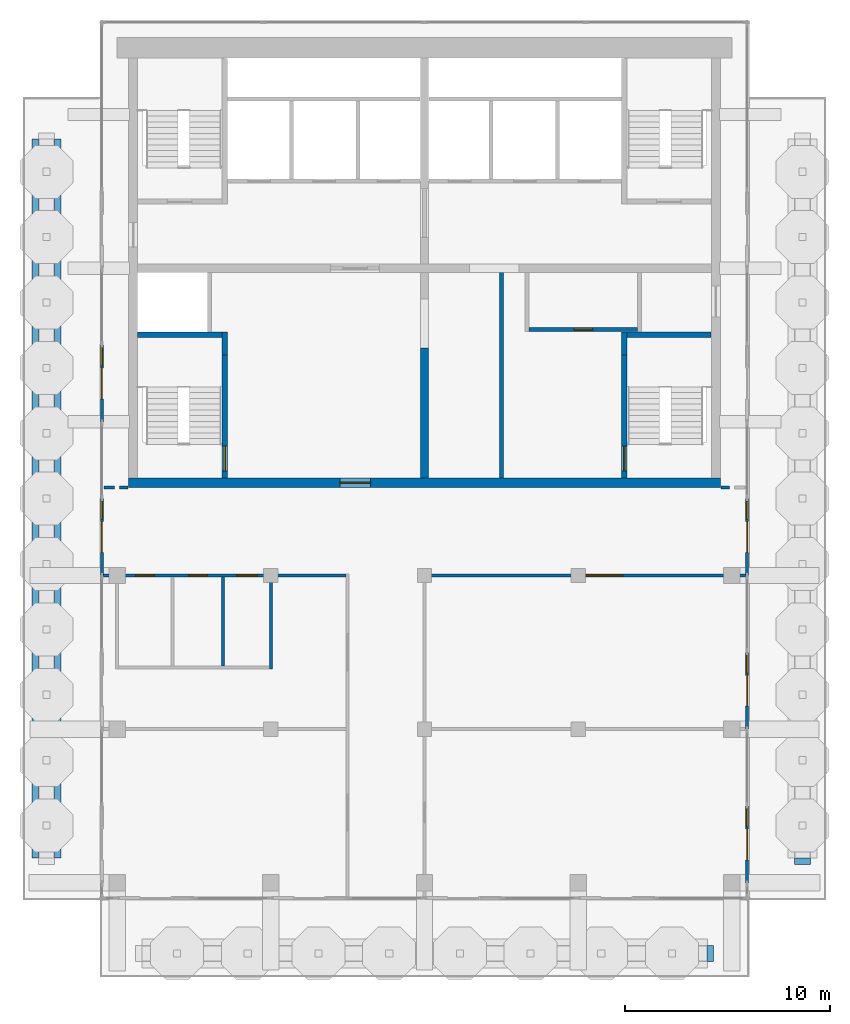
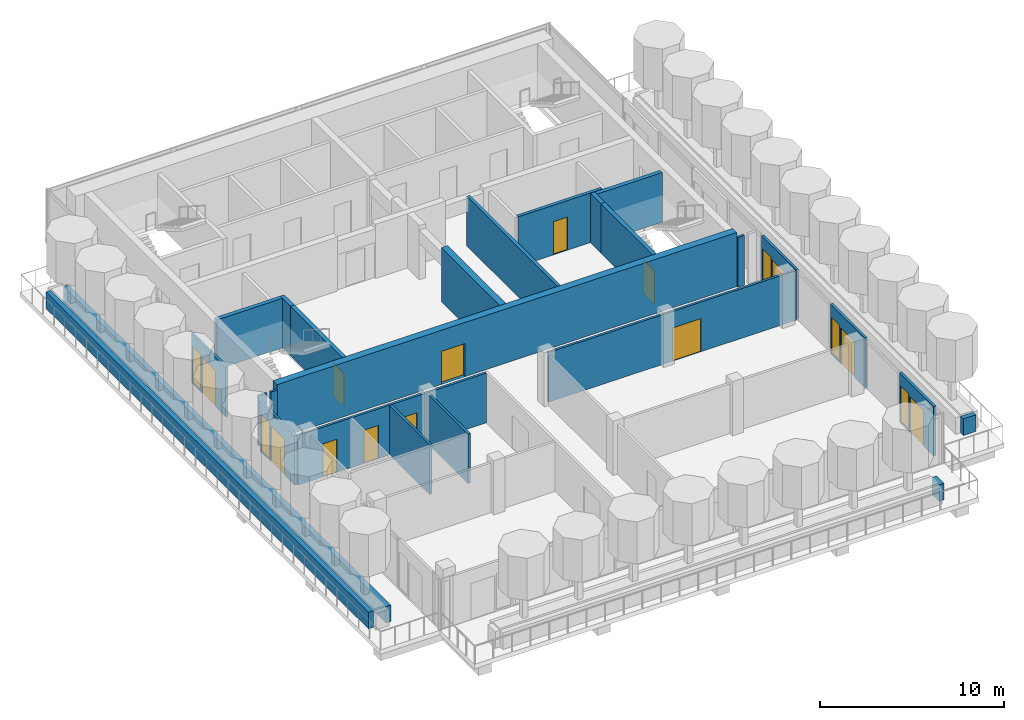
# One storey, part 5 of 10: 26 walls, 13 doors, 5 windows, 18 openings.
"""IFC4 building model written with IfcOpenShell, lengths in metres."""

from ifc_helpers import new_model, si_unit, direction, frame, frame_2d, origin, place, context, subcontext, project, spatial, rectangle, extrude, material, layer, layer_set, type_object, element, fill, save


model = new_model("IFC4")

# Units and contexts
model_context = context("Model", 3, precision=1e-05, world=origin(), true_north=direction((0.0, 1.0)))
body_context = subcontext(model_context, "Body", "Model", "MODEL_VIEW")
ifc_project = project(units=[si_unit("LENGTHUNIT", "METRE"), si_unit("AREAUNIT", "SQUARE_METRE"), si_unit("VOLUMEUNIT", "CUBIC_METRE"), si_unit("PLANEANGLEUNIT", "RADIAN"), si_unit("MASSUNIT", "GRAM", prefix="KILO")], contexts=[model_context])

# Site, building, storey
site_placement = place(None, origin())
site = spatial("IfcSite", under=ifc_project, at=site_placement, CompositionType="ELEMENT")
building_placement = place(site_placement, origin())
building = spatial("IfcBuilding", under=site, at=building_placement, Name="Pilkhan Gate Tower", CompositionType="ELEMENT")
storey_placement = place(building_placement, frame((0.0, 0.0, 272.89990234375)))
storey = spatial("IfcBuildingStorey", under=building, at=storey_placement, Name="L71", CompositionType="ELEMENT", Elevation=272.89990234375)

# Wall, opening, door
ifc_material_1 = material(Name="Concrete C50/60", Category="concrete")
ifc_layer_1 = layer(ifc_material_1, 0.449951171875)
ifc_layer_set_1 = layer_set([ifc_layer_1], Name="Core wall CW450 C50/60")
wall_type_1 = type_object("IfcWallType", Name="Core wall CW450 C50/60", PredefinedType="SHEAR", material=ifc_layer_set_1)
wall_1_placement = place(storey_placement, frame((60.550048828125, 72.02490234375, 0.0), z_axis=(0.0, 0.0, 1.0), x_axis=(1.0, 0.0, 0.0)))
wall_1 = element("IfcWall", 1, at=wall_1_placement, inside=storey, type_object=wall_type_1, Name="Core wall S L71", PredefinedType="SHEAR", context=body_context, shape_type="SweptSolid", body=[
    extrude(rectangle(XDim=28.89990234375, YDim=0.449951171875, at=frame_2d((14.449951171875, 0.0))), origin(), (0.0, 0.0, 1.0), 3.60009765625),
])
opening_1_placement = place(wall_1_placement, frame((10.324951171875, 0.0, 0.0)))
opening_1 = element("IfcOpeningElement", 2, at=opening_1_placement, cuts=wall_1, Name="Opening L71-06", PredefinedType="OPENING", context=body_context, shape_type="SweptSolid", body=[
    extrude(rectangle(XDim=1.5, YDim=2.199951171875, at=frame_2d((0.75, 1.10009765625))), frame((0.0, 0.23486328125, 0.0), z_axis=(0.0, -1.0, 0.0), x_axis=(1.0, 0.0, 0.0)), (0.0, 0.0, 1.0), 0.469970703125),
])
ifc_material_2 = material(Name="Steel framed glazed door, 60 minute fire resisting", Category="steel")
door_type_1 = type_object("IfcDoorType", Name="Lobby door D09 1500x2200", OperationType="DOUBLE_DOOR_SINGLE_SWING", PredefinedType="DOOR", material=ifc_material_2)
door_1_placement = place(opening_1_placement, origin())
door_1 = element("IfcDoor", 3, at=door_1_placement, inside=storey, type_object=door_type_1, Name="Core door", OperationType="DOUBLE_DOOR_SINGLE_SWING", OverallHeight=2.199951171875, OverallWidth=1.5, PredefinedType="DOOR", context=body_context, shape_type="SweptSolid", body=[
    extrude(rectangle(XDim=1.5, YDim=2.199951171875, at=frame_2d((0.75, 1.10009765625))), frame((0.0, 0.02490234375, 0.0), z_axis=(0.0, -1.0, 0.0), x_axis=(1.0, 0.0, 0.0)), (0.0, 0.0, 1.0), 0.050048828125),
])
fill(opening_1, door_1)

# Wall, openings, door, window
ifc_material_3 = material(Name="Pale anodised aluminium, clear laminated glazing", Category="aluminium")
ifc_layer_2 = layer(ifc_material_3, 0.14990234375)
ifc_layer_set_2 = layer_set([ifc_layer_2], Name="Facade infill wall IW150")
wall_type_2 = type_object("IfcWallType", Name="Facade infill wall IW150", PredefinedType="SOLIDWALL", material=ifc_layer_set_2)
wall_2_placement = place(storey_placement, frame((90.75, 56.25, 0.0), z_axis=(0.0, 0.0, 1.0), x_axis=(0.0, -1.0, 0.0)))
wall_2 = element("IfcWall", 4, at=wall_2_placement, inside=storey, type_object=wall_type_2, Name="Infill wall L71 E", PredefinedType="SOLIDWALL", context=body_context, shape_type="SweptSolid", body=[
    extrude(rectangle(XDim=3.75, YDim=0.14990234375, at=frame_2d((1.875, 0.0))), origin(), (0.0, 0.0, 1.0), 3.300048828125),
])
opening_2_placement = place(wall_2_placement, frame((0.112548828125, 0.0, 0.10009765625)))
opening_2 = element("IfcOpeningElement", 5, at=opening_2_placement, cuts=wall_2, Name="Opening W1", PredefinedType="OPENING", context=body_context, shape_type="SweptSolid", body=[
    extrude(rectangle(XDim=0.89990234375, YDim=2.39990234375, at=frame_2d((0.449951171875, 1.199951171875))), frame((0.0, 0.0849609375, 0.0), z_axis=(0.0, -1.0, 0.0), x_axis=(1.0, 0.0, 0.0)), (0.0, 0.0, 1.0), 0.169921875),
])
opening_3_placement = place(wall_2_placement, frame((1.125, 0.0, 0.0)))
opening_3 = element("IfcOpeningElement", 6, at=opening_3_placement, cuts=wall_2, Name="Opening D5", PredefinedType="OPENING", context=body_context, shape_type="SweptSolid", body=[
    extrude(rectangle(XDim=1.5, YDim=2.39990234375, at=frame_2d((0.75, 1.199951171875))), frame((0.0, 0.0849609375, 0.0), z_axis=(0.0, -1.0, 0.0), x_axis=(1.0, 0.0, 0.0)), (0.0, 0.0, 1.0), 0.169921875),
])
ifc_material_4 = material(Name="Pale anodised aluminium, clear glazing", Category="aluminium")
door_type_2 = type_object("IfcDoorType", Name="Terrace door D5 1500x2400", OperationType="DOUBLE_DOOR_SINGLE_SWING", PredefinedType="DOOR", material=ifc_material_4)
door_2_placement = place(opening_3_placement, origin())
door_2 = element("IfcDoor", 7, at=door_2_placement, inside=storey, type_object=door_type_2, Name="Terrace door L71", OperationType="DOUBLE_DOOR_SINGLE_SWING", OverallHeight=2.39990234375, OverallWidth=1.5, PredefinedType="DOOR", context=body_context, shape_type="SweptSolid", body=[
    extrude(rectangle(XDim=1.5, YDim=2.39990234375, at=frame_2d((0.75, 1.199951171875))), frame((0.0, 0.02490234375, 0.0), z_axis=(0.0, -1.0, 0.0), x_axis=(1.0, 0.0, 0.0)), (0.0, 0.0, 1.0), 0.050048828125),
])
fill(opening_3, door_2)
ifc_material_5 = material(Name="Pale anodised aluminium, clear double glazing", Category="aluminium")
window_type = type_object("IfcWindowType", Name="Window W1 900x2400", PartitioningType="SINGLE_PANEL", PredefinedType="WINDOW", material=ifc_material_5)
window_1_placement = place(opening_2_placement, origin())
window_1 = element("IfcWindow", 8, at=window_1_placement, inside=storey, type_object=window_type, Name="Window L71", OverallHeight=2.39990234375, OverallWidth=0.89990234375, PartitioningType="SINGLE_PANEL", PredefinedType="WINDOW", context=body_context, shape_type="SweptSolid", body=[
    extrude(rectangle(XDim=0.89990234375, YDim=2.39990234375, at=frame_2d((0.449951171875, 1.199951171875))), frame((0.0, 0.030029296875, 0.0), z_axis=(0.0, -1.0, 0.0), x_axis=(1.0, 0.0, 0.0)), (0.0, 0.0, 1.0), 0.06005859375),
])
fill(opening_2, window_1)

wall_3_placement = place(storey_placement, frame((90.75, 63.75, 0.0), z_axis=(0.0, 0.0, 1.0), x_axis=(0.0, -1.0, 0.0)))
wall_3 = element("IfcWall", 9, at=wall_3_placement, inside=storey, type_object=wall_type_2, Name="Infill wall L71 E", PredefinedType="SOLIDWALL", context=body_context, shape_type="SweptSolid", body=[
    extrude(rectangle(XDim=3.75, YDim=0.14990234375, at=frame_2d((1.875, 0.0))), origin(), (0.0, 0.0, 1.0), 3.300048828125),
])
opening_4_placement = place(wall_3_placement, frame((0.112548828125, 0.0, 0.10009765625)))
opening_4 = element("IfcOpeningElement", 10, at=opening_4_placement, cuts=wall_3, Name="Opening W1", PredefinedType="OPENING", context=body_context, shape_type="SweptSolid", body=[
    extrude(rectangle(XDim=0.89990234375, YDim=2.39990234375, at=frame_2d((0.449951171875, 1.199951171875))), frame((0.0, 0.0849609375, 0.0), z_axis=(0.0, -1.0, 0.0), x_axis=(1.0, 0.0, 0.0)), (0.0, 0.0, 1.0), 0.169921875),
])
opening_5_placement = place(wall_3_placement, frame((1.125, 0.0, 0.0)))
opening_5 = element("IfcOpeningElement", 11, at=opening_5_placement, cuts=wall_3, Name="Opening D5", PredefinedType="OPENING", context=body_context, shape_type="SweptSolid", body=[
    extrude(rectangle(XDim=1.5, YDim=2.39990234375, at=frame_2d((0.75, 1.199951171875))), frame((0.0, 0.0849609375, 0.0), z_axis=(0.0, -1.0, 0.0), x_axis=(1.0, 0.0, 0.0)), (0.0, 0.0, 1.0), 0.169921875),
])
door_3_placement = place(opening_5_placement, origin())
door_3 = element("IfcDoor", 12, at=door_3_placement, inside=storey, type_object=door_type_2, Name="Terrace door L71", OperationType="DOUBLE_DOOR_SINGLE_SWING", OverallHeight=2.39990234375, OverallWidth=1.5, PredefinedType="DOOR", context=body_context, shape_type="SweptSolid", body=[
    extrude(rectangle(XDim=1.5, YDim=2.39990234375, at=frame_2d((0.75, 1.199951171875))), frame((0.0, 0.02490234375, 0.0), z_axis=(0.0, -1.0, 0.0), x_axis=(1.0, 0.0, 0.0)), (0.0, 0.0, 1.0), 0.050048828125),
])
fill(opening_5, door_3)
window_2_placement = place(opening_4_placement, origin())
window_2 = element("IfcWindow", 13, at=window_2_placement, inside=storey, type_object=window_type, Name="Window L71", OverallHeight=2.39990234375, OverallWidth=0.89990234375, PartitioningType="SINGLE_PANEL", PredefinedType="WINDOW", context=body_context, shape_type="SweptSolid", body=[
    extrude(rectangle(XDim=0.89990234375, YDim=2.39990234375, at=frame_2d((0.449951171875, 1.199951171875))), frame((0.0, 0.030029296875, 0.0), z_axis=(0.0, -1.0, 0.0), x_axis=(1.0, 0.0, 0.0)), (0.0, 0.0, 1.0), 0.06005859375),
])
fill(opening_4, window_2)

wall_4_placement = place(storey_placement, frame((90.75, 71.25, 0.0), z_axis=(0.0, 0.0, 1.0), x_axis=(0.0, -1.0, 0.0)))
wall_4 = element("IfcWall", 14, at=wall_4_placement, inside=storey, type_object=wall_type_2, Name="Infill wall L71 E", PredefinedType="SOLIDWALL", context=body_context, shape_type="SweptSolid", body=[
    extrude(rectangle(XDim=3.75, YDim=0.14990234375, at=frame_2d((1.875, 0.0))), origin(), (0.0, 0.0, 1.0), 3.300048828125),
])
opening_6_placement = place(wall_4_placement, frame((0.112548828125, 0.0, 0.10009765625)))
opening_6 = element("IfcOpeningElement", 15, at=opening_6_placement, cuts=wall_4, Name="Opening W1", PredefinedType="OPENING", context=body_context, shape_type="SweptSolid", body=[
    extrude(rectangle(XDim=0.89990234375, YDim=2.39990234375, at=frame_2d((0.449951171875, 1.199951171875))), frame((0.0, 0.0849609375, 0.0), z_axis=(0.0, -1.0, 0.0), x_axis=(1.0, 0.0, 0.0)), (0.0, 0.0, 1.0), 0.169921875),
])
opening_7_placement = place(wall_4_placement, frame((1.125, 0.0, 0.0)))
opening_7 = element("IfcOpeningElement", 16, at=opening_7_placement, cuts=wall_4, Name="Opening D5", PredefinedType="OPENING", context=body_context, shape_type="SweptSolid", body=[
    extrude(rectangle(XDim=1.5, YDim=2.39990234375, at=frame_2d((0.75, 1.199951171875))), frame((0.0, 0.0849609375, 0.0), z_axis=(0.0, -1.0, 0.0), x_axis=(1.0, 0.0, 0.0)), (0.0, 0.0, 1.0), 0.169921875),
])
door_4_placement = place(opening_7_placement, origin())
door_4 = element("IfcDoor", 17, at=door_4_placement, inside=storey, type_object=door_type_2, Name="Terrace door L71", OperationType="DOUBLE_DOOR_SINGLE_SWING", OverallHeight=2.39990234375, OverallWidth=1.5, PredefinedType="DOOR", context=body_context, shape_type="SweptSolid", body=[
    extrude(rectangle(XDim=1.5, YDim=2.39990234375, at=frame_2d((0.75, 1.199951171875))), frame((0.0, 0.02490234375, 0.0), z_axis=(0.0, -1.0, 0.0), x_axis=(1.0, 0.0, 0.0)), (0.0, 0.0, 1.0), 0.050048828125),
])
fill(opening_7, door_4)
window_3_placement = place(opening_6_placement, origin())
window_3 = element("IfcWindow", 18, at=window_3_placement, inside=storey, type_object=window_type, Name="Window L71", OverallHeight=2.39990234375, OverallWidth=0.89990234375, PartitioningType="SINGLE_PANEL", PredefinedType="WINDOW", context=body_context, shape_type="SweptSolid", body=[
    extrude(rectangle(XDim=0.89990234375, YDim=2.39990234375, at=frame_2d((0.449951171875, 1.199951171875))), frame((0.0, 0.030029296875, 0.0), z_axis=(0.0, -1.0, 0.0), x_axis=(1.0, 0.0, 0.0)), (0.0, 0.0, 1.0), 0.06005859375),
])
fill(opening_6, window_3)

wall_5_placement = place(storey_placement, frame((59.25, 67.5, 0.0), z_axis=(0.0, 0.0, 1.0), x_axis=(0.0, 1.0, 0.0)))
wall_5 = element("IfcWall", 19, at=wall_5_placement, inside=storey, type_object=wall_type_2, Name="Infill wall L71 W", PredefinedType="SOLIDWALL", context=body_context, shape_type="SweptSolid", body=[
    extrude(rectangle(XDim=3.75, YDim=0.14990234375, at=frame_2d((1.875, 0.0))), origin(), (0.0, 0.0, 1.0), 3.300048828125),
])
opening_8_placement = place(wall_5_placement, frame((1.125, 0.0, 0.0)))
opening_8 = element("IfcOpeningElement", 20, at=opening_8_placement, cuts=wall_5, Name="Opening D5", PredefinedType="OPENING", context=body_context, shape_type="SweptSolid", body=[
    extrude(rectangle(XDim=1.5, YDim=2.39990234375, at=frame_2d((0.75, 1.199951171875))), frame((0.0, 0.0849609375, 0.0), z_axis=(0.0, -1.0, 0.0), x_axis=(1.0, 0.0, 0.0)), (0.0, 0.0, 1.0), 0.169921875),
])
opening_9_placement = place(wall_5_placement, frame((2.737548828125, 0.0, 0.10009765625)))
opening_9 = element("IfcOpeningElement", 21, at=opening_9_placement, cuts=wall_5, Name="Opening W1", PredefinedType="OPENING", context=body_context, shape_type="SweptSolid", body=[
    extrude(rectangle(XDim=0.89990234375, YDim=2.39990234375, at=frame_2d((0.449951171875, 1.199951171875))), frame((0.0, 0.0849609375, 0.0), z_axis=(0.0, -1.0, 0.0), x_axis=(1.0, 0.0, 0.0)), (0.0, 0.0, 1.0), 0.169921875),
])
door_5_placement = place(opening_8_placement, origin())
door_5 = element("IfcDoor", 22, at=door_5_placement, inside=storey, type_object=door_type_2, Name="Terrace door L71", OperationType="DOUBLE_DOOR_SINGLE_SWING", OverallHeight=2.39990234375, OverallWidth=1.5, PredefinedType="DOOR", context=body_context, shape_type="SweptSolid", body=[
    extrude(rectangle(XDim=1.5, YDim=2.39990234375, at=frame_2d((0.75, 1.199951171875))), frame((0.0, 0.02490234375, 0.0), z_axis=(0.0, -1.0, 0.0), x_axis=(1.0, 0.0, 0.0)), (0.0, 0.0, 1.0), 0.050048828125),
])
fill(opening_8, door_5)
window_4_placement = place(opening_9_placement, origin())
window_4 = element("IfcWindow", 23, at=window_4_placement, inside=storey, type_object=window_type, Name="Window L71", OverallHeight=2.39990234375, OverallWidth=0.89990234375, PartitioningType="SINGLE_PANEL", PredefinedType="WINDOW", context=body_context, shape_type="SweptSolid", body=[
    extrude(rectangle(XDim=0.89990234375, YDim=2.39990234375, at=frame_2d((0.449951171875, 1.199951171875))), frame((0.0, 0.030029296875, 0.0), z_axis=(0.0, -1.0, 0.0), x_axis=(1.0, 0.0, 0.0)), (0.0, 0.0, 1.0), 0.06005859375),
])
fill(opening_9, window_4)

wall_6_placement = place(storey_placement, frame((59.25, 75.0, 0.0), z_axis=(0.0, 0.0, 1.0), x_axis=(0.0, 1.0, 0.0)))
wall_6 = element("IfcWall", 24, at=wall_6_placement, inside=storey, type_object=wall_type_2, Name="Infill wall L71 W", PredefinedType="SOLIDWALL", context=body_context, shape_type="SweptSolid", body=[
    extrude(rectangle(XDim=3.75, YDim=0.14990234375, at=frame_2d((1.875, 0.0))), origin(), (0.0, 0.0, 1.0), 3.300048828125),
])
opening_10_placement = place(wall_6_placement, frame((1.125, 0.0, 0.0)))
opening_10 = element("IfcOpeningElement", 25, at=opening_10_placement, cuts=wall_6, Name="Opening D5", PredefinedType="OPENING", context=body_context, shape_type="SweptSolid", body=[
    extrude(rectangle(XDim=1.5, YDim=2.39990234375, at=frame_2d((0.75, 1.199951171875))), frame((0.0, 0.0849609375, 0.0), z_axis=(0.0, -1.0, 0.0), x_axis=(1.0, 0.0, 0.0)), (0.0, 0.0, 1.0), 0.169921875),
])
opening_11_placement = place(wall_6_placement, frame((2.737548828125, 0.0, 0.10009765625)))
opening_11 = element("IfcOpeningElement", 26, at=opening_11_placement, cuts=wall_6, Name="Opening W1", PredefinedType="OPENING", context=body_context, shape_type="SweptSolid", body=[
    extrude(rectangle(XDim=0.89990234375, YDim=2.39990234375, at=frame_2d((0.449951171875, 1.199951171875))), frame((0.0, 0.0849609375, 0.0), z_axis=(0.0, -1.0, 0.0), x_axis=(1.0, 0.0, 0.0)), (0.0, 0.0, 1.0), 0.169921875),
])
door_6_placement = place(opening_10_placement, origin())
door_6 = element("IfcDoor", 27, at=door_6_placement, inside=storey, type_object=door_type_2, Name="Terrace door L71", OperationType="DOUBLE_DOOR_SINGLE_SWING", OverallHeight=2.39990234375, OverallWidth=1.5, PredefinedType="DOOR", context=body_context, shape_type="SweptSolid", body=[
    extrude(rectangle(XDim=1.5, YDim=2.39990234375, at=frame_2d((0.75, 1.199951171875))), frame((0.0, 0.02490234375, 0.0), z_axis=(0.0, -1.0, 0.0), x_axis=(1.0, 0.0, 0.0)), (0.0, 0.0, 1.0), 0.050048828125),
])
fill(opening_10, door_6)
window_5_placement = place(opening_11_placement, origin())
window_5 = element("IfcWindow", 28, at=window_5_placement, inside=storey, type_object=window_type, Name="Window L71", OverallHeight=2.39990234375, OverallWidth=0.89990234375, PartitioningType="SINGLE_PANEL", PredefinedType="WINDOW", context=body_context, shape_type="SweptSolid", body=[
    extrude(rectangle(XDim=0.89990234375, YDim=2.39990234375, at=frame_2d((0.449951171875, 1.199951171875))), frame((0.0, 0.030029296875, 0.0), z_axis=(0.0, -1.0, 0.0), x_axis=(1.0, 0.0, 0.0)), (0.0, 0.0, 1.0), 0.06005859375),
])
fill(opening_11, window_5)

# Wall, opening, door
ifc_material_6 = material(Name="Dense blockwork", Category="masonry")
ifc_layer_3 = layer(ifc_material_6, 0.199951171875)
ifc_layer_set_3 = layer_set([ifc_layer_3], Name="Lobby wall LW200")
wall_type_3 = type_object("IfcWallType", Name="Lobby wall LW200", PredefinedType="PARTITIONING", material=ifc_layer_set_3)
wall_7_placement = place(storey_placement, frame((80.10009765625, 79.5, 0.0), z_axis=(0.0, 0.0, 1.0), x_axis=(1.0, 0.0, 0.0)))
wall_7 = element("IfcWall", 29, at=wall_7_placement, inside=storey, type_object=wall_type_3, Name="Partition L71", PredefinedType="PARTITIONING", context=body_context, shape_type="SweptSolid", body=[
    extrude(rectangle(XDim=5.2998046875, YDim=0.199951171875, at=frame_2d((2.64990234375, 0.0))), origin(), (0.0, 0.0, 1.0), 3.300048828125),
])
opening_12_placement = place(wall_7_placement, frame((2.199951171875, 0.0, 0.0)))
opening_12 = element("IfcOpeningElement", 30, at=opening_12_placement, cuts=wall_7, Name="Opening L71-08", PredefinedType="OPENING", context=body_context, shape_type="SweptSolid", body=[
    extrude(rectangle(XDim=0.89990234375, YDim=2.199951171875, at=frame_2d((0.449951171875, 1.10009765625))), frame((0.0, 0.10986328125, 0.0), z_axis=(0.0, -1.0, 0.0), x_axis=(1.0, 0.0, 0.0)), (0.0, 0.0, 1.0), 0.219970703125),
])
ifc_material_7 = material(Name="Timber flush door, 60 minute fire resisting, self-closing", Category="wood")
door_type_3 = type_object("IfcDoorType", Name="Store door D05 900x2200", OperationType="SINGLE_SWING_LEFT", PredefinedType="DOOR", material=ifc_material_7)
door_7_placement = place(opening_12_placement, origin())
door_7 = element("IfcDoor", 31, at=door_7_placement, inside=storey, type_object=door_type_3, Name="Store door", OperationType="SINGLE_SWING_LEFT", OverallHeight=2.199951171875, OverallWidth=0.89990234375, PredefinedType="DOOR", context=body_context, shape_type="SweptSolid", body=[
    extrude(rectangle(XDim=0.89990234375, YDim=2.199951171875, at=frame_2d((0.449951171875, 1.10009765625))), frame((0.0, 0.02490234375, 0.0), z_axis=(0.0, -1.0, 0.0), x_axis=(1.0, 0.0, 0.0)), (0.0, 0.0, 1.0), 0.050048828125),
])
fill(opening_12, door_7)

# Wall
wall_8_placement = place(storey_placement, frame((78.75, 72.260009765625, 0.0), z_axis=(0.0, 0.0, 1.0), x_axis=(0.0, 1.0, 0.0)))
element("IfcWall", 32, at=wall_8_placement, inside=storey, type_object=wall_type_3, Name="Partition L71", PredefinedType="PARTITIONING", context=body_context, shape_type="SweptSolid", body=[
    extrude(rectangle(XDim=10.239990234375, YDim=0.199951171875, at=frame_2d((5.1201171875, 0.0))), origin(), (0.0, 0.0, 1.0), 3.300048828125),
])

# Wall, openings, doors
ifc_material_8 = material(Name="Blockwork partition, plastered both sides", Category="masonry")
ifc_layer_4 = layer(ifc_material_8, 0.14990234375)
ifc_layer_set_4 = layer_set([ifc_layer_4], Name="Partition PW150")
wall_type_4 = type_object("IfcWallType", Name="Partition PW150", PredefinedType="PARTITIONING", material=ifc_layer_set_4)
wall_9_placement = place(storey_placement, frame((59.3349609375, 67.5, 0.0), z_axis=(0.0, 0.0, 1.0), x_axis=(1.0, 0.0, 0.0)))
wall_9 = element("IfcWall", 33, at=wall_9_placement, inside=storey, type_object=wall_type_4, Name="Partition L71", PredefinedType="PARTITIONING", context=body_context, shape_type="SweptSolid", body=[
    extrude(rectangle(XDim=11.840087890625, YDim=0.14990234375, at=frame_2d((5.919921875, 0.0))), origin(), (0.0, 0.0, 1.0), 3.300048828125),
])
opening_13_placement = place(wall_9_placement, frame((1.56494140625, 0.0, 0.0)))
opening_13 = element("IfcOpeningElement", 34, at=opening_13_placement, cuts=wall_9, Name="Opening L71-10", PredefinedType="OPENING", context=body_context, shape_type="SweptSolid", body=[
    extrude(rectangle(XDim=0.89990234375, YDim=2.199951171875, at=frame_2d((0.449951171875, 1.10009765625))), frame((0.0, 0.0849609375, 0.0), z_axis=(0.0, -1.0, 0.0), x_axis=(1.0, 0.0, 0.0)), (0.0, 0.0, 1.0), 0.169921875),
])
opening_14_placement = place(wall_9_placement, frame((4.1650390625, 0.0, 0.0)))
opening_14 = element("IfcOpeningElement", 35, at=opening_14_placement, cuts=wall_9, Name="Opening L71-11", PredefinedType="OPENING", context=body_context, shape_type="SweptSolid", body=[
    extrude(rectangle(XDim=0.89990234375, YDim=2.199951171875, at=frame_2d((0.449951171875, 1.10009765625))), frame((0.0, 0.0849609375, 0.0), z_axis=(0.0, -1.0, 0.0), x_axis=(1.0, 0.0, 0.0)), (0.0, 0.0, 1.0), 0.169921875),
])
opening_15_placement = place(wall_9_placement, frame((6.489990234375, 0.0, 0.0)))
opening_15 = element("IfcOpeningElement", 36, at=opening_15_placement, cuts=wall_9, Name="Opening L71-12", PredefinedType="OPENING", context=body_context, shape_type="SweptSolid", body=[
    extrude(rectangle(XDim=1.0, YDim=2.199951171875, at=frame_2d((0.5, 1.10009765625))), frame((0.0, 0.0849609375, 0.0), z_axis=(0.0, -1.0, 0.0), x_axis=(1.0, 0.0, 0.0)), (0.0, 0.0, 1.0), 0.169921875),
])
ifc_material_9 = material(Name="Timber flush door, outward opening, 30 minute fire resisting", Category="wood")
door_type_4 = type_object("IfcDoorType", Name="Accessible toilet door D07 1000x2200", OperationType="SINGLE_SWING_LEFT", PredefinedType="DOOR", material=ifc_material_9)
door_8_placement = place(opening_15_placement, origin())
door_8 = element("IfcDoor", 37, at=door_8_placement, inside=storey, type_object=door_type_4, Name="Accessible toilet door", OperationType="SINGLE_SWING_RIGHT", OverallHeight=2.199951171875, OverallWidth=1.0, PredefinedType="DOOR", context=body_context, shape_type="SweptSolid", body=[
    extrude(rectangle(XDim=1.0, YDim=2.199951171875, at=frame_2d((0.5, 1.10009765625))), frame((0.0, 0.02490234375, 0.0), z_axis=(0.0, -1.0, 0.0), x_axis=(1.0, 0.0, 0.0)), (0.0, 0.0, 1.0), 0.050048828125),
])
fill(opening_15, door_8)
ifc_material_10 = material(Name="Timber flush door, 30 minute fire resisting", Category="wood")
door_type_5 = type_object("IfcDoorType", Name="Toilet door D06 900x2200", OperationType="SINGLE_SWING_LEFT", PredefinedType="DOOR", material=ifc_material_10)
door_9_placement = place(opening_13_placement, origin())
door_9 = element("IfcDoor", 38, at=door_9_placement, inside=storey, type_object=door_type_5, Name="Toilet door", OperationType="SINGLE_SWING_LEFT", OverallHeight=2.199951171875, OverallWidth=0.89990234375, PredefinedType="DOOR", context=body_context, shape_type="SweptSolid", body=[
    extrude(rectangle(XDim=0.89990234375, YDim=2.199951171875, at=frame_2d((0.449951171875, 1.10009765625))), frame((0.0, 0.02490234375, 0.0), z_axis=(0.0, -1.0, 0.0), x_axis=(1.0, 0.0, 0.0)), (0.0, 0.0, 1.0), 0.050048828125),
])
fill(opening_13, door_9)
door_10_placement = place(opening_14_placement, origin())
door_10 = element("IfcDoor", 39, at=door_10_placement, inside=storey, type_object=door_type_5, Name="Toilet door", OperationType="SINGLE_SWING_LEFT", OverallHeight=2.199951171875, OverallWidth=0.89990234375, PredefinedType="DOOR", context=body_context, shape_type="SweptSolid", body=[
    extrude(rectangle(XDim=0.89990234375, YDim=2.199951171875, at=frame_2d((0.449951171875, 1.10009765625))), frame((0.0, 0.02490234375, 0.0), z_axis=(0.0, -1.0, 0.0), x_axis=(1.0, 0.0, 0.0)), (0.0, 0.0, 1.0), 0.050048828125),
])
fill(opening_14, door_10)

# Wall, opening, door
wall_10_placement = place(storey_placement, frame((75.074951171875, 67.5, 0.0), z_axis=(0.0, 0.0, 1.0), x_axis=(1.0, 0.0, 0.0)))
wall_10 = element("IfcWall", 40, at=wall_10_placement, inside=storey, type_object=wall_type_4, Name="Partition L71", PredefinedType="PARTITIONING", context=body_context, shape_type="SweptSolid", body=[
    extrude(rectangle(XDim=15.590087890625, YDim=0.14990234375, at=frame_2d((7.794921875, 0.0))), origin(), (0.0, 0.0, 1.0), 3.300048828125),
])
opening_16_placement = place(wall_10_placement, frame((7.800048828125, 0.0, 0.0)))
opening_16 = element("IfcOpeningElement", 41, at=opening_16_placement, cuts=wall_10, Name="Opening L71-15", PredefinedType="OPENING", context=body_context, shape_type="SweptSolid", body=[
    extrude(rectangle(XDim=1.800048828125, YDim=2.199951171875, at=frame_2d((0.89990234375, 1.10009765625))), frame((0.0, 0.0849609375, 0.0), z_axis=(0.0, -1.0, 0.0), x_axis=(1.0, 0.0, 0.0)), (0.0, 0.0, 1.0), 0.169921875),
])
ifc_material_11 = material(Name="Timber glazed double door, 30 minute fire resisting", Category="wood")
door_type_6 = type_object("IfcDoorType", Name="Double door D04 1800x2200", OperationType="DOUBLE_DOOR_SINGLE_SWING", PredefinedType="DOOR", material=ifc_material_11)
door_11_placement = place(opening_16_placement, origin())
door_11 = element("IfcDoor", 42, at=door_11_placement, inside=storey, type_object=door_type_6, Name="Double door", OperationType="DOUBLE_DOOR_SINGLE_SWING", OverallHeight=2.199951171875, OverallWidth=1.800048828125, PredefinedType="DOOR", context=body_context, shape_type="SweptSolid", body=[
    extrude(rectangle(XDim=1.800048828125, YDim=2.199951171875, at=frame_2d((0.89990234375, 1.10009765625))), frame((0.0, 0.02490234375, 0.0), z_axis=(0.0, -1.0, 0.0), x_axis=(1.0, 0.0, 0.0)), (0.0, 0.0, 1.0), 0.050048828125),
])
fill(opening_16, door_11)

# Walls
wall_11_placement = place(storey_placement, frame((59.35498046875, 71.800048828125, 0.0), z_axis=(0.0, 0.0, 1.0), x_axis=(1.0, 0.0, 0.0)))
element("IfcWall", 43, at=wall_11_placement, inside=storey, type_object=wall_type_4, Name="Partition L71", PredefinedType="PARTITIONING", context=body_context, shape_type="SweptSolid", body=[
    extrude(rectangle(XDim=0.52490234375, YDim=0.14990234375, at=frame_2d((0.262451171875, 0.0))), origin(), (0.0, 0.0, 1.0), 3.300048828125),
])
for number, where, z_axis, x_axis, name in (
    (44, (60.1201171875, 71.800048828125, 0.0), (0.0, 0.0, 1.0), (1.0, 0.0, 0.0), "Partition L71"),
    (45, (89.4599609375, 71.800048828125, 0.0), (0.0, 0.0, 1.0), (1.0, 0.0, 0.0), "Partition L71"),
):
    element("IfcWall", number, at=place(storey_placement, frame(where, z_axis=z_axis, x_axis=x_axis)), inside=storey, type_object=wall_type_4, Name=name, PredefinedType="PARTITIONING", context=body_context, shape_type="SweptSolid", body=[
        extrude(rectangle(XDim=0.419921875, YDim=0.14990234375, at=frame_2d((0.2099609375, 0.0))), origin(), (0.0, 0.0, 1.0), 3.300048828125),
    ])
wall_12_placement = place(storey_placement, frame((65.175048828125, 63.074951171875, 0.0), z_axis=(0.0, 0.0, 1.0), x_axis=(0.0, 1.0, 0.0)))
element("IfcWall", 46, at=wall_12_placement, inside=storey, type_object=wall_type_4, Name="Partition L71", PredefinedType="PARTITIONING", context=body_context, shape_type="SweptSolid", body=[
    extrude(rectangle(XDim=4.35009765625, YDim=0.14990234375, at=frame_2d((2.175048828125, 0.0))), origin(), (0.0, 0.0, 1.0), 3.300048828125),
])
wall_13_placement = place(storey_placement, frame((67.5, 62.925048828125, 0.0), z_axis=(0.0, 0.0, 1.0), x_axis=(0.0, 1.0, 0.0)))
element("IfcWall", 47, at=wall_13_placement, inside=storey, type_object=wall_type_4, Name="Partition L71", PredefinedType="PARTITIONING", context=body_context, shape_type="SweptSolid", body=[
    extrude(rectangle(XDim=4.5, YDim=0.14990234375, at=frame_2d((2.25, 0.0))), origin(), (0.0, 0.0, 1.0), 3.300048828125),
])
ifc_layer_5 = layer(ifc_material_1, 0.39990234375)
ifc_layer_set_5 = layer_set([ifc_layer_5], Name="Spine wall SW400 C50/60")
wall_type_5 = type_object("IfcWallType", Name="Spine wall SW400 C50/60", PredefinedType="SHEAR", material=ifc_layer_set_5)
wall_14_placement = place(storey_placement, frame((75.0, 72.25, 0.0), z_axis=(0.0, 0.0, 1.0), x_axis=(0.0, 1.0, 0.0)))
element("IfcWall", 48, at=wall_14_placement, inside=storey, type_object=wall_type_5, Name="Spine wall SP-NS-S1 L71", PredefinedType="SHEAR", context=body_context, shape_type="SweptSolid", body=[
    extrude(rectangle(XDim=6.35009765625, YDim=0.39990234375, at=frame_2d((3.175048828125, 0.0))), origin(), (0.0, 0.0, 1.0), 3.60009765625),
])
ifc_material_12 = material(Name="Reinforced blockwork, 120 minute fire resisting", Category="masonry")
ifc_layer_6 = layer(ifc_material_12, 0.25)
ifc_layer_set_6 = layer_set([ifc_layer_6], Name="Stair enclosure wall SE250")
wall_type_6 = type_object("IfcWallType", Name="Stair enclosure wall SE250", PredefinedType="PARTITIONING", material=ifc_layer_set_6)
wall_15_placement = place(storey_placement, frame((61.0, 79.25, 0.0), z_axis=(0.0, 0.0, 1.0), x_axis=(1.0, 0.0, 0.0)))
element("IfcWall", 49, at=wall_15_placement, inside=storey, type_object=wall_type_6, Name="Partition L71", PredefinedType="PARTITIONING", context=body_context, shape_type="SweptSolid", body=[
    extrude(rectangle(XDim=4.125, YDim=0.25, at=frame_2d((2.0625, 0.0))), origin(), (0.0, 0.0, 1.0), 3.300048828125),
])
wall_16_placement = place(storey_placement, frame((84.875, 79.25, 0.0), z_axis=(0.0, 0.0, 1.0), x_axis=(1.0, 0.0, 0.0)))
element("IfcWall", 50, at=wall_16_placement, inside=storey, type_object=wall_type_6, Name="Partition L71", PredefinedType="PARTITIONING", context=body_context, shape_type="SweptSolid", body=[
    extrude(rectangle(XDim=4.114990234375, YDim=0.25, at=frame_2d((2.0576171875, 0.0))), origin(), (0.0, 0.0, 1.0), 3.300048828125),
])

# Wall, opening, door
wall_17_placement = place(storey_placement, frame((65.25, 72.260009765625, 0.0), z_axis=(0.0, 0.0, 1.0), x_axis=(0.0, 1.0, 0.0)))
wall_17 = element("IfcWall", 51, at=wall_17_placement, inside=storey, type_object=wall_type_6, Name="Partition L71", PredefinedType="PARTITIONING", context=body_context, shape_type="SweptSolid", body=[
    extrude(rectangle(XDim=5.989990234375, YDim=0.25, at=frame_2d((2.9951171875, 0.0))), origin(), (0.0, 0.0, 1.0), 3.300048828125),
])
opening_17_placement = place(wall_17_placement, frame((0.35009765625, 0.0, 0.0)))
opening_17 = element("IfcOpeningElement", 52, at=opening_17_placement, cuts=wall_17, Name="Opening L71-04", PredefinedType="OPENING", context=body_context, shape_type="SweptSolid", body=[
    extrude(rectangle(XDim=1.199951171875, YDim=2.199951171875, at=frame_2d((0.60009765625, 1.10009765625))), frame((0.0, 0.135009765625, 0.0), z_axis=(0.0, -1.0, 0.0), x_axis=(1.0, 0.0, 0.0)), (0.0, 0.0, 1.0), 0.27001953125),
])
ifc_material_13 = material(Name="Steel door, 120 minute fire resisting, panic bar", Category="steel")
door_type_7 = type_object("IfcDoorType", Name="Stair door D11 1200x2200", OperationType="SINGLE_SWING_LEFT", PredefinedType="DOOR", material=ifc_material_13)
door_12_placement = place(opening_17_placement, origin())
door_12 = element("IfcDoor", 53, at=door_12_placement, inside=storey, type_object=door_type_7, Name="Stair ST2 lobby door", OperationType="SINGLE_SWING_RIGHT", OverallHeight=2.199951171875, OverallWidth=1.199951171875, PredefinedType="DOOR", context=body_context, shape_type="SweptSolid", body=[
    extrude(rectangle(XDim=1.199951171875, YDim=2.199951171875, at=frame_2d((0.60009765625, 1.10009765625))), frame((0.0, 0.02490234375, 0.0), z_axis=(0.0, -1.0, 0.0), x_axis=(1.0, 0.0, 0.0)), (0.0, 0.0, 1.0), 0.050048828125),
])
fill(opening_17, door_12)

# Wall
wall_18_placement = place(storey_placement, frame((65.25, 78.260009765625, 0.0), z_axis=(0.0, 0.0, 1.0), x_axis=(0.0, 1.0, 0.0)))
element("IfcWall", 54, at=wall_18_placement, inside=storey, type_object=wall_type_6, Name="Partition L71", PredefinedType="PARTITIONING", context=body_context, shape_type="SweptSolid", body=[
    extrude(rectangle(XDim=1.114990234375, YDim=0.25, at=frame_2d((0.5576171875, 0.0))), origin(), (0.0, 0.0, 1.0), 3.300048828125),
])

# Wall, opening, door
wall_19_placement = place(storey_placement, frame((84.75, 72.260009765625, 0.0), z_axis=(0.0, 0.0, 1.0), x_axis=(0.0, 1.0, 0.0)))
wall_19 = element("IfcWall", 55, at=wall_19_placement, inside=storey, type_object=wall_type_6, Name="Partition L71", PredefinedType="PARTITIONING", context=body_context, shape_type="SweptSolid", body=[
    extrude(rectangle(XDim=5.989990234375, YDim=0.25, at=frame_2d((2.9951171875, 0.0))), origin(), (0.0, 0.0, 1.0), 3.300048828125),
])
opening_18_placement = place(wall_19_placement, frame((0.35009765625, 0.0, 0.0)))
opening_18 = element("IfcOpeningElement", 56, at=opening_18_placement, cuts=wall_19, Name="Opening L71-05", PredefinedType="OPENING", context=body_context, shape_type="SweptSolid", body=[
    extrude(rectangle(XDim=1.199951171875, YDim=2.199951171875, at=frame_2d((0.60009765625, 1.10009765625))), frame((0.0, 0.135009765625, 0.0), z_axis=(0.0, -1.0, 0.0), x_axis=(1.0, 0.0, 0.0)), (0.0, 0.0, 1.0), 0.27001953125),
])
door_13_placement = place(opening_18_placement, origin())
door_13 = element("IfcDoor", 57, at=door_13_placement, inside=storey, type_object=door_type_7, Name="Stair ST1 lobby door", OperationType="SINGLE_SWING_LEFT", OverallHeight=2.199951171875, OverallWidth=1.199951171875, PredefinedType="DOOR", context=body_context, shape_type="SweptSolid", body=[
    extrude(rectangle(XDim=1.199951171875, YDim=2.199951171875, at=frame_2d((0.60009765625, 1.10009765625))), frame((0.0, 0.02490234375, 0.0), z_axis=(0.0, -1.0, 0.0), x_axis=(1.0, 0.0, 0.0)), (0.0, 0.0, 1.0), 0.050048828125),
])
fill(opening_18, door_13)

# Walls
wall_20_placement = place(storey_placement, frame((84.75, 78.260009765625, 0.0), z_axis=(0.0, 0.0, 1.0), x_axis=(0.0, 1.0, 0.0)))
element("IfcWall", 58, at=wall_20_placement, inside=storey, type_object=wall_type_6, Name="Partition L71", PredefinedType="PARTITIONING", context=body_context, shape_type="SweptSolid", body=[
    extrude(rectangle(XDim=1.114990234375, YDim=0.25, at=frame_2d((0.5576171875, 0.0))), origin(), (0.0, 0.0, 1.0), 3.300048828125),
])
ifc_material_14 = material(Name="Concrete C40/50", Category="concrete")
ifc_layer_7 = layer(ifc_material_14, 0.300048828125)
ifc_layer_set_7 = layer_set([ifc_layer_7], Name="Terrace planter TP800")
wall_type_7 = type_object("IfcWallType", Name="Terrace planter TP800", PredefinedType="USERDEFINED", material=ifc_layer_set_7)
for number, where, z_axis, x_axis, name in (
    (59, (93.050048828125, 53.550048828125, 0.0), (0.0, 0.0, 1.0), (1.0, 0.0, 0.0), "Terrace planter L71"),
    (60, (88.949951171875, 49.449951171875, 0.0), (0.0, 0.0, 1.0), (0.0, -1.0, 0.0), "Terrace planter L71"),
):
    element("IfcWall", number, at=place(storey_placement, frame(where, z_axis=z_axis, x_axis=x_axis)), inside=storey, type_object=wall_type_7, Name=name, ObjectType="TERRACE PLANTER", PredefinedType="USERDEFINED", context=body_context, shape_type="SweptSolid", body=[
        extrude(rectangle(XDim=0.800048828125, YDim=0.300048828125, at=frame_2d((0.39990234375, 0.0))), origin(), (0.0, 0.0, 1.0), 1.10009765625),
    ])
for number, where, z_axis, x_axis, name in (
    (61, (56.0, 53.699951171875, 0.0), (0.0, 0.0, 1.0), (0.0, 1.0, 0.0), "Terrace planter L71"),
    (62, (57.10009765625, 53.699951171875, 0.0), (0.0, 0.0, 1.0), (0.0, 1.0, 0.0), "Terrace planter L71"),
):
    element("IfcWall", number, at=place(storey_placement, frame(where, z_axis=z_axis, x_axis=x_axis)), inside=storey, type_object=wall_type_7, Name=name, ObjectType="TERRACE PLANTER", PredefinedType="USERDEFINED", context=body_context, shape_type="SweptSolid", body=[
        extrude(rectangle(XDim=35.10009765625, YDim=0.300048828125, at=frame_2d((17.550048828125, 0.0))), origin(), (0.0, 0.0, 1.0), 1.10009765625),
    ])

save(model, "model.ifc")
